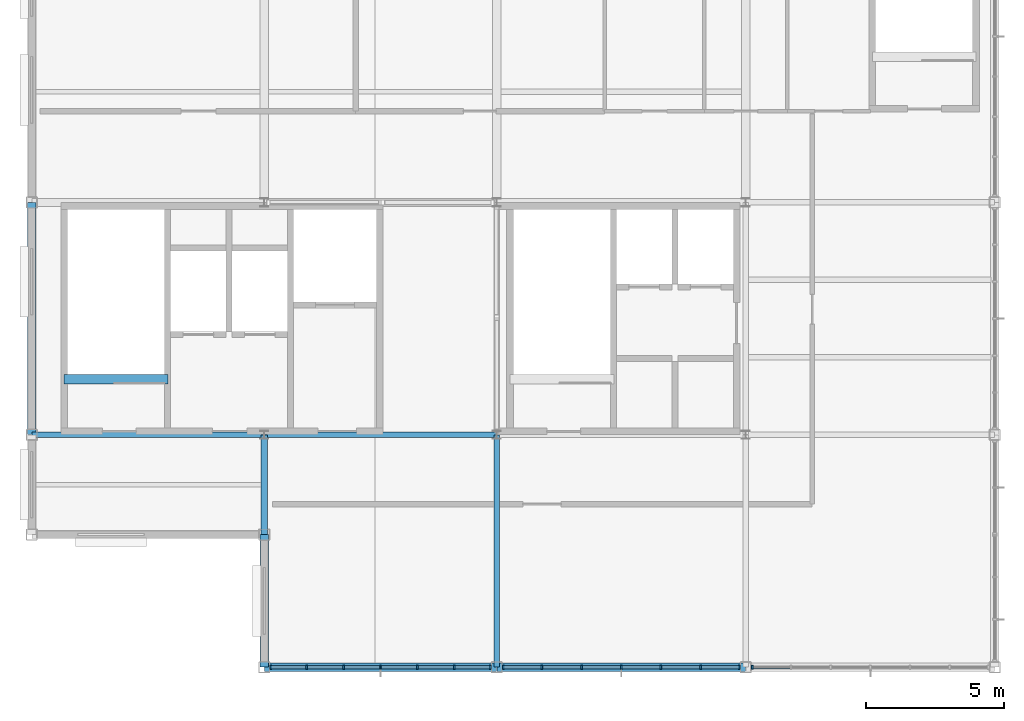
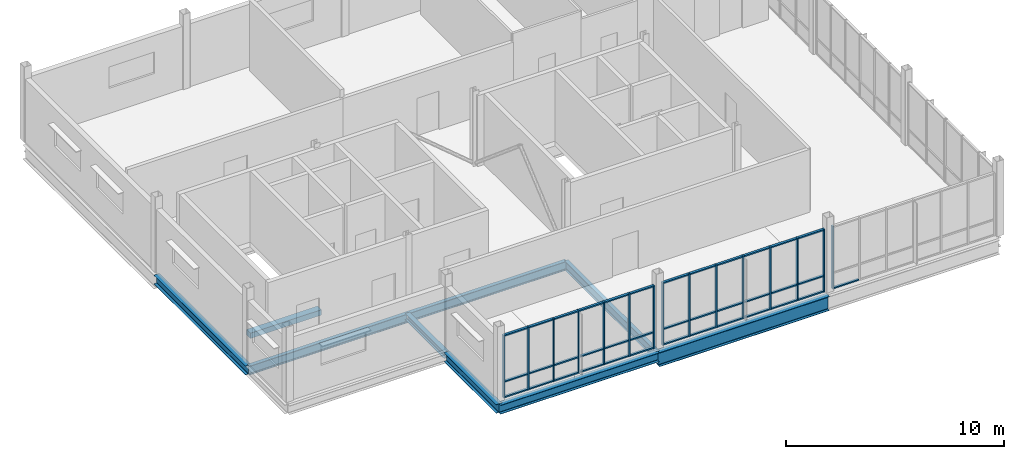
# One storey, part 4 of 15: 52 members, 9 beams, 3 elements without a shape of their own.
"""IFC4 building model written with IfcOpenShell, lengths in metres."""

from ifc_helpers import new_model, si_unit, direction, frame, origin, origin_2d, place, context, subcontext, project, spatial, rectangle, i_section, extrude, material, layer, layer_set, material_profile, profile_set, type_object, element, aggregate, save


model = new_model("IFC4")

# Units and contexts
model_context = context("Model", 3, precision=1e-05, world=origin(), true_north=direction((0.0, 1.0)))
body_context = subcontext(model_context, "Body", "Model", "MODEL_VIEW")
ifc_project = project(units=[si_unit("LENGTHUNIT", "METRE"), si_unit("AREAUNIT", "SQUARE_METRE"), si_unit("VOLUMEUNIT", "CUBIC_METRE"), si_unit("PLANEANGLEUNIT", "RADIAN"), si_unit("MASSUNIT", "GRAM", prefix="KILO")], contexts=[model_context])

# Site, building, storey
site_placement = place(None, origin())
site = spatial("IfcSite", under=ifc_project, at=site_placement, CompositionType="ELEMENT")
building_placement = place(site_placement, origin())
building = spatial("IfcBuilding", under=site, at=building_placement, Name="Yukiwa Park Conservatory and Herbarium", CompositionType="ELEMENT")
storey_placement = place(building_placement, frame((0.0, 0.0, 61.199951171875)))
storey = spatial("IfcBuildingStorey", under=building, at=storey_placement, Name="L16", CompositionType="ELEMENT", Elevation=61.199951171875)

# Beams
ifc_material_1 = material(Name="Steel Q355D", Category="steel")
ifc_material_profile_1 = material_profile(ifc_material_1, i_section(OverallWidth=0.25, OverallDepth=0.35009765625, WebThickness=0.009033203125, FlangeThickness=0.013916015625, FilletRadius=0.02001953125, at=origin_2d()), Name="HM 350x250x9x14")
ifc_profile_set_1 = profile_set([ifc_material_profile_1], Name="Steel Q355D")
beam_type_1 = type_object("IfcBeamType", Name="BM-GRD-HM350", PredefinedType="BEAM", material=ifc_profile_set_1)
beam_1_placement = place(storey_placement, frame((141.60009765625, 91.2060546875, -0.445068359375), z_axis=(0.0, 1.0, 0.0), x_axis=(-1.0, 0.0, 0.0)))
element("IfcBeam", 1, at=beam_1_placement, inside=storey, type_object=beam_type_1, Name="L16 grid girder Y-21", PredefinedType="BEAM", context=body_context, shape_type="SweptSolid", body=[
    extrude(i_section(OverallWidth=0.25, OverallDepth=0.35009765625, WebThickness=0.009033203125, FlangeThickness=0.013916015625, FilletRadius=0.02001953125, at=origin_2d()), origin(), (0.0, 0.0, 1.0), 3.587890625),
])
ifc_material_2 = material(Name="Steel Q355D", Category="steel")
ifc_material_profile_2 = material_profile(ifc_material_2, i_section(OverallWidth=0.198974609375, OverallDepth=0.49609375, WebThickness=0.009033203125, FlangeThickness=0.013916015625, FilletRadius=0.02001953125, at=origin_2d()), Name="HN 496x199x9x14")
ifc_profile_set_2 = profile_set([ifc_material_profile_2], Name="Steel Q355D")
beam_type_2 = type_object("IfcBeamType", Name="BM-GRD-HN496", PredefinedType="BEAM", material=ifc_profile_set_2)
for number, where, z_axis, x_axis, name in (
    (2, (133.2060546875, 94.800048828125, -0.51806640625), (1.0, 0.0, 0.0), (0.0, 1.0, 0.0), "L16 grid beam X-5"),
    (3, (141.60595703125, 94.800048828125, -0.51806640625), (1.0, 0.0, 0.0), (0.0, 1.0, 0.0), "L16 grid beam X-6"),
):
    element("IfcBeam", number, at=place(storey_placement, frame(where, z_axis=z_axis, x_axis=x_axis)), inside=storey, type_object=beam_type_2, Name=name, PredefinedType="BEAM", context=body_context, shape_type="SweptSolid", body=[
        extrude(i_section(OverallWidth=0.198974609375, OverallDepth=0.49609375, WebThickness=0.009033203125, FlangeThickness=0.013916015625, FilletRadius=0.02001953125, at=origin_2d()), origin(), (0.0, 0.0, 1.0), 8.387939453125),
    ])
ifc_material_3 = material(Name="Steel Q355D", Category="steel")
ifc_material_profile_3 = material_profile(ifc_material_3, i_section(OverallWidth=0.199951171875, OverallDepth=0.5, WebThickness=0.010009765625, FlangeThickness=0.01611328125, FilletRadius=0.02001953125, at=origin_2d()), Name="HN 500x200x10x16")
ifc_profile_set_3 = profile_set([ifc_material_profile_3], Name="Steel Q355D")
beam_type_3 = type_object("IfcBeamType", Name="BM-GRD-HN500", PredefinedType="BEAM", material=ifc_profile_set_3)
beam_2_placement = place(storey_placement, frame((150.0, 86.406005859375, -0.52001953125), z_axis=(0.0, 1.0, 0.0), x_axis=(-1.0, 0.0, 0.0)))
element("IfcBeam", 4, at=beam_2_placement, inside=storey, type_object=beam_type_3, Name="L16 grid girder Y-23", PredefinedType="BEAM", context=body_context, shape_type="SweptSolid", body=[
    extrude(i_section(OverallWidth=0.199951171875, OverallDepth=0.5, WebThickness=0.010009765625, FlangeThickness=0.01611328125, FilletRadius=0.02001953125, at=origin_2d()), origin(), (0.0, 0.0, 1.0), 8.387939453125),
])
ifc_material_4 = material(Name="Steel Q355D", Category="steel")
ifc_material_profile_4 = material_profile(ifc_material_4, i_section(OverallWidth=0.300048828125, OverallDepth=0.493896484375, WebThickness=0.010986328125, FlangeThickness=0.014892578125, FilletRadius=0.02392578125, at=origin_2d()), Name="HM 494x300x11x15")
ifc_profile_set_4 = profile_set([ifc_material_profile_4], Name="Steel Q355D")
beam_type_4 = type_object("IfcBeamType", Name="BM-SPN-HN450", PredefinedType="SPANDREL", material=ifc_profile_set_4)
beam_3_placement = place(storey_placement, frame((141.60009765625, 86.406005859375, -0.516845703125), z_axis=(0.0, 1.0, 0.0), x_axis=(-1.0, 0.0, 0.0)))
element("IfcBeam", 5, at=beam_3_placement, inside=storey, type_object=beam_type_4, Name="L16 spandrel girder Y-20", PredefinedType="SPANDREL", context=body_context, shape_type="SweptSolid", body=[
    extrude(i_section(OverallWidth=0.300048828125, OverallDepth=0.493896484375, WebThickness=0.010986328125, FlangeThickness=0.014892578125, FilletRadius=0.02392578125, at=origin_2d()), origin(), (0.0, 0.0, 1.0), 4.7880859375),
])
ifc_material_5 = material(Name="Steel Q355D", Category="steel")
ifc_material_profile_5 = material_profile(ifc_material_5, i_section(OverallWidth=0.300048828125, OverallDepth=0.5, WebThickness=0.010986328125, FlangeThickness=0.01806640625, FilletRadius=0.02392578125, at=origin_2d()), Name="HM 500x300x11x18")
ifc_profile_set_5 = profile_set([ifc_material_profile_5], Name="Steel Q355D")
beam_type_5 = type_object("IfcBeamType", Name="BM-SPN-HN500", PredefinedType="SPANDREL", material=ifc_profile_set_5)
beam_4_placement = place(storey_placement, frame((141.60595703125, 86.39990234375, -0.52001953125), z_axis=(1.0, 0.0, 0.0), x_axis=(0.0, 1.0, 0.0)))
element("IfcBeam", 6, at=beam_4_placement, inside=storey, type_object=beam_type_5, Name="L16 spandrel beam X-1", PredefinedType="SPANDREL", context=body_context, shape_type="SweptSolid", body=[
    extrude(i_section(OverallWidth=0.300048828125, OverallDepth=0.5, WebThickness=0.010986328125, FlangeThickness=0.01806640625, FilletRadius=0.02392578125, at=origin_2d()), origin(), (0.0, 0.0, 1.0), 8.387939453125),
])
beam_5_placement = place(storey_placement, frame((133.199951171875, 94.805908203125, -0.52001953125), z_axis=(0.0, 1.0, 0.0), x_axis=(-1.0, 0.0, 0.0)))
element("IfcBeam", 7, at=beam_5_placement, inside=storey, type_object=beam_type_5, Name="L16 spandrel girder Y-18", PredefinedType="SPANDREL", context=body_context, shape_type="SweptSolid", body=[
    extrude(i_section(OverallWidth=0.300048828125, OverallDepth=0.5, WebThickness=0.010986328125, FlangeThickness=0.01806640625, FilletRadius=0.02392578125, at=origin_2d()), origin(), (0.0, 0.0, 1.0), 8.38818359375),
])
ifc_material_6 = material(Name="Steel Q355D", Category="steel")
ifc_material_profile_6 = material_profile(ifc_material_6, i_section(OverallWidth=0.300048828125, OverallDepth=0.7919921875, WebThickness=0.013916015625, FlangeThickness=0.02197265625, FilletRadius=0.028076171875, at=origin_2d()), Name="HN 792x300x14x22")
ifc_profile_set_6 = profile_set([ifc_material_profile_6], Name="Steel Q355D")
beam_type_6 = type_object("IfcBeamType", Name="BM-SPN-HN600", PredefinedType="SPANDREL", material=ifc_profile_set_6)
beam_6_placement = place(storey_placement, frame((150.006103515625, 86.39990234375, -0.666015625), z_axis=(1.0, 0.0, 0.0), x_axis=(0.0, 1.0, 0.0)))
element("IfcBeam", 8, at=beam_6_placement, inside=storey, type_object=beam_type_6, Name="L16 spandrel beam X-2", PredefinedType="SPANDREL", context=body_context, shape_type="SweptSolid", body=[
    extrude(i_section(OverallWidth=0.300048828125, OverallDepth=0.7919921875, WebThickness=0.013916015625, FlangeThickness=0.02197265625, FilletRadius=0.028076171875, at=origin_2d()), origin(), (0.0, 0.0, 1.0), 8.98779296875),
])
ifc_material_7 = material(Name="Concrete C40", Category="concrete")
ifc_material_profile_7 = material_profile(ifc_material_7, rectangle(XDim=0.35009765625, YDim=0.300048828125, at=origin_2d()), Name="RC 350x300")
ifc_profile_set_7 = profile_set([ifc_material_profile_7], Name="Concrete C40")
beam_type_7 = type_object("IfcBeamType", Name="BM-STAIR-TRIM", PredefinedType="BEAM", material=ifc_profile_set_7)
beam_7_placement = place(storey_placement, frame((134.3701171875, 96.81005859375, -0.14990234375), z_axis=(1.0, 0.0, 0.0), x_axis=(0.0, 1.0, 0.0)))
element("IfcBeam", 9, at=beam_7_placement, inside=storey, type_object=beam_type_7, Name="Stair ST-T1 L16 landing trimmer beam", PredefinedType="BEAM", context=body_context, shape_type="SweptSolid", body=[
    extrude(rectangle(XDim=0.35009765625, YDim=0.300048828125, at=origin_2d()), origin(), (0.0, 0.0, 1.0), 3.75),
])

# Curtain wall, members
ifc_material_8 = material(Name="Triple Low-E Insulated Glass", Category="glass")
ifc_layer = layer(ifc_material_8, 0.2119140625)
ifc_layer_set = layer_set([ifc_layer], Name="Triple Low-E Insulated Glass")
curtain_wall_type = type_object("IfcCurtainWallType", Name="CW-TOWER-SKY-1400", PredefinedType="NOTDEFINED", material=ifc_layer_set)
curtain_wall_1_placement = place(storey_placement, origin())
curtain_wall_1 = element("IfcCurtainWall", 10, at=curtain_wall_1_placement, inside=storey, type_object=curtain_wall_type, Name="L16 unitised curtain wall CW-L16-152", PredefinedType="NOTDEFINED")
ifc_material_9 = material(Name="Anodised Aluminium", Category="aluminium")
member_type_1 = type_object("IfcMemberType", Name="MB-CW-MUL-70X150", PredefinedType="MULLION", material=ifc_material_9)
member_1_placement = place(storey_placement, frame((141.8349609375, 86.39990234375, 0.0), z_axis=(0.0, 0.0, 1.0), x_axis=(1.0, 0.0, 0.0)))
member_1 = element("IfcMember", 11, at=member_1_placement, type_object=member_type_1, Name="CW-L16-152 mullion 1", PredefinedType="MULLION", context=body_context, shape_type="SweptSolid", body=[
    extrude(rectangle(XDim=0.070068359375, YDim=0.14990234375, at=origin_2d()), origin(), (0.0, 0.0, 1.0), 3.510009765625),
])
member_2_placement = place(storey_placement, frame((143.13330078125, 86.39990234375, 0.0), z_axis=(0.0, 0.0, 1.0), x_axis=(1.0, 0.0, 0.0)))
member_2 = element("IfcMember", 12, at=member_2_placement, type_object=member_type_1, Name="CW-L16-152 mullion 2", PredefinedType="MULLION", context=body_context, shape_type="SweptSolid", body=[
    extrude(rectangle(XDim=0.070068359375, YDim=0.14990234375, at=origin_2d()), origin(), (0.0, 0.0, 1.0), 3.510009765625),
])
member_3_placement = place(storey_placement, frame((144.466796875, 86.39990234375, 0.0), z_axis=(0.0, 0.0, 1.0), x_axis=(1.0, 0.0, 0.0)))
member_3 = element("IfcMember", 13, at=member_3_placement, type_object=member_type_1, Name="CW-L16-152 mullion 3", PredefinedType="MULLION", context=body_context, shape_type="SweptSolid", body=[
    extrude(rectangle(XDim=0.070068359375, YDim=0.14990234375, at=origin_2d()), origin(), (0.0, 0.0, 1.0), 3.510009765625),
])
member_4_placement = place(storey_placement, frame((145.800048828125, 86.39990234375, 0.0), z_axis=(0.0, 0.0, 1.0), x_axis=(1.0, 0.0, 0.0)))
member_4 = element("IfcMember", 14, at=member_4_placement, type_object=member_type_1, Name="CW-L16-152 mullion 4", PredefinedType="MULLION", context=body_context, shape_type="SweptSolid", body=[
    extrude(rectangle(XDim=0.070068359375, YDim=0.14990234375, at=origin_2d()), origin(), (0.0, 0.0, 1.0), 3.510009765625),
])
member_5_placement = place(storey_placement, frame((147.13330078125, 86.39990234375, 0.0), z_axis=(0.0, 0.0, 1.0), x_axis=(1.0, 0.0, 0.0)))
member_5 = element("IfcMember", 15, at=member_5_placement, type_object=member_type_1, Name="CW-L16-152 mullion 5", PredefinedType="MULLION", context=body_context, shape_type="SweptSolid", body=[
    extrude(rectangle(XDim=0.070068359375, YDim=0.14990234375, at=origin_2d()), origin(), (0.0, 0.0, 1.0), 3.510009765625),
])
member_6_placement = place(storey_placement, frame((148.466796875, 86.39990234375, 0.0), z_axis=(0.0, 0.0, 1.0), x_axis=(1.0, 0.0, 0.0)))
member_6 = element("IfcMember", 16, at=member_6_placement, type_object=member_type_1, Name="CW-L16-152 mullion 6", PredefinedType="MULLION", context=body_context, shape_type="SweptSolid", body=[
    extrude(rectangle(XDim=0.070068359375, YDim=0.14990234375, at=origin_2d()), origin(), (0.0, 0.0, 1.0), 3.510009765625),
])
member_7_placement = place(storey_placement, frame((149.764892578125, 86.39990234375, 0.0), z_axis=(0.0, 0.0, 1.0), x_axis=(1.0, 0.0, 0.0)))
member_7 = element("IfcMember", 17, at=member_7_placement, type_object=member_type_1, Name="CW-L16-152 mullion 7", PredefinedType="MULLION", context=body_context, shape_type="SweptSolid", body=[
    extrude(rectangle(XDim=0.070068359375, YDim=0.14990234375, at=origin_2d()), origin(), (0.0, 0.0, 1.0), 3.510009765625),
])

curtain_wall_2_placement = place(storey_placement, origin())
curtain_wall_2 = element("IfcCurtainWall", 18, at=curtain_wall_2_placement, inside=storey, type_object=curtain_wall_type, Name="L16 unitised curtain wall CW-L16-153", PredefinedType="NOTDEFINED")
member_8_placement = place(storey_placement, frame((150.235107421875, 86.39990234375, 0.0), z_axis=(0.0, 0.0, 1.0), x_axis=(1.0, 0.0, 0.0)))
member_8 = element("IfcMember", 19, at=member_8_placement, type_object=member_type_1, Name="CW-L16-153 mullion 1", PredefinedType="MULLION", context=body_context, shape_type="SweptSolid", body=[
    extrude(rectangle(XDim=0.070068359375, YDim=0.14990234375, at=origin_2d()), origin(), (0.0, 0.0, 1.0), 3.510009765625),
])
member_9_placement = place(storey_placement, frame((151.63330078125, 86.39990234375, 0.0), z_axis=(0.0, 0.0, 1.0), x_axis=(1.0, 0.0, 0.0)))
member_9 = element("IfcMember", 20, at=member_9_placement, type_object=member_type_1, Name="CW-L16-153 mullion 2", PredefinedType="MULLION", context=body_context, shape_type="SweptSolid", body=[
    extrude(rectangle(XDim=0.070068359375, YDim=0.14990234375, at=origin_2d()), origin(), (0.0, 0.0, 1.0), 3.510009765625),
])
member_10_placement = place(storey_placement, frame((153.066650390625, 86.39990234375, 0.0), z_axis=(0.0, 0.0, 1.0), x_axis=(1.0, 0.0, 0.0)))
member_10 = element("IfcMember", 21, at=member_10_placement, type_object=member_type_1, Name="CW-L16-153 mullion 3", PredefinedType="MULLION", context=body_context, shape_type="SweptSolid", body=[
    extrude(rectangle(XDim=0.070068359375, YDim=0.14990234375, at=origin_2d()), origin(), (0.0, 0.0, 1.0), 3.510009765625),
])
member_11_placement = place(storey_placement, frame((154.5, 86.39990234375, 0.0), z_axis=(0.0, 0.0, 1.0), x_axis=(1.0, 0.0, 0.0)))
member_11 = element("IfcMember", 22, at=member_11_placement, type_object=member_type_1, Name="CW-L16-153 mullion 4", PredefinedType="MULLION", context=body_context, shape_type="SweptSolid", body=[
    extrude(rectangle(XDim=0.070068359375, YDim=0.14990234375, at=origin_2d()), origin(), (0.0, 0.0, 1.0), 3.510009765625),
])
member_12_placement = place(storey_placement, frame((155.933349609375, 86.39990234375, 0.0), z_axis=(0.0, 0.0, 1.0), x_axis=(1.0, 0.0, 0.0)))
member_12 = element("IfcMember", 23, at=member_12_placement, type_object=member_type_1, Name="CW-L16-153 mullion 5", PredefinedType="MULLION", context=body_context, shape_type="SweptSolid", body=[
    extrude(rectangle(XDim=0.070068359375, YDim=0.14990234375, at=origin_2d()), origin(), (0.0, 0.0, 1.0), 3.510009765625),
])
member_13_placement = place(storey_placement, frame((157.36669921875, 86.39990234375, 0.0), z_axis=(0.0, 0.0, 1.0), x_axis=(1.0, 0.0, 0.0)))
member_13 = element("IfcMember", 24, at=member_13_placement, type_object=member_type_1, Name="CW-L16-153 mullion 6", PredefinedType="MULLION", context=body_context, shape_type="SweptSolid", body=[
    extrude(rectangle(XDim=0.070068359375, YDim=0.14990234375, at=origin_2d()), origin(), (0.0, 0.0, 1.0), 3.510009765625),
])
member_14_placement = place(storey_placement, frame((158.764892578125, 86.39990234375, 0.0), z_axis=(0.0, 0.0, 1.0), x_axis=(1.0, 0.0, 0.0)))
member_14 = element("IfcMember", 25, at=member_14_placement, type_object=member_type_1, Name="CW-L16-153 mullion 7", PredefinedType="MULLION", context=body_context, shape_type="SweptSolid", body=[
    extrude(rectangle(XDim=0.070068359375, YDim=0.14990234375, at=origin_2d()), origin(), (0.0, 0.0, 1.0), 3.510009765625),
])

# Curtain wall, member
curtain_wall_3_placement = place(storey_placement, origin())
curtain_wall_3 = element("IfcCurtainWall", 26, at=curtain_wall_3_placement, inside=storey, type_object=curtain_wall_type, Name="L16 unitised curtain wall CW-L16-154", PredefinedType="NOTDEFINED")
member_15_placement = place(storey_placement, frame((159.235107421875, 86.39990234375, 0.0), z_axis=(0.0, 0.0, 1.0), x_axis=(1.0, 0.0, 0.0)))
member_15 = element("IfcMember", 27, at=member_15_placement, type_object=member_type_1, Name="CW-L16-154 mullion 1", PredefinedType="MULLION", context=body_context, shape_type="SweptSolid", body=[
    extrude(rectangle(XDim=0.070068359375, YDim=0.14990234375, at=origin_2d()), origin(), (0.0, 0.0, 1.0), 3.510009765625),
])

# Member
ifc_material_10 = material(Name="Anodised Aluminium", Category="aluminium")
member_type_2 = type_object("IfcMemberType", Name="MB-CW-TRN-70X130", PredefinedType="USERDEFINED", material=ifc_material_10)
member_16_placement = place(storey_placement, frame((142.466796875, 86.39990234375, 0.0), z_axis=(0.0, 0.0, 1.0), x_axis=(1.0, 0.0, 0.0)))
member_16 = element("IfcMember", 28, at=member_16_placement, type_object=member_type_2, Name="CW-L16-152 transom 1.1", ObjectType="TRANSOM", PredefinedType="USERDEFINED", context=body_context, shape_type="SweptSolid", body=[
    extrude(rectangle(XDim=1.26318359375, YDim=0.1298828125, at=origin_2d()), origin(), (0.0, 0.0, 1.0), 0.070068359375),
])

member_17_placement = place(storey_placement, frame((142.466796875, 86.39990234375, 0.865234375), z_axis=(0.0, 0.0, 1.0), x_axis=(1.0, 0.0, 0.0)))
member_17 = element("IfcMember", 29, at=member_17_placement, type_object=member_type_2, Name="CW-L16-152 transom 1.2", ObjectType="TRANSOM", PredefinedType="USERDEFINED", context=body_context, shape_type="SweptSolid", body=[
    extrude(rectangle(XDim=1.26318359375, YDim=0.1298828125, at=origin_2d()), origin(), (0.0, 0.0, 1.0), 0.070068359375),
])

member_18_placement = place(storey_placement, frame((142.466796875, 86.39990234375, 3.43994140625), z_axis=(0.0, 0.0, 1.0), x_axis=(1.0, 0.0, 0.0)))
member_18 = element("IfcMember", 30, at=member_18_placement, type_object=member_type_2, Name="CW-L16-152 transom 1.3", ObjectType="TRANSOM", PredefinedType="USERDEFINED", context=body_context, shape_type="SweptSolid", body=[
    extrude(rectangle(XDim=1.26318359375, YDim=0.1298828125, at=origin_2d()), origin(), (0.0, 0.0, 1.0), 0.070068359375),
])

member_19_placement = place(storey_placement, frame((143.800048828125, 86.39990234375, 0.0), z_axis=(0.0, 0.0, 1.0), x_axis=(1.0, 0.0, 0.0)))
member_19 = element("IfcMember", 31, at=member_19_placement, type_object=member_type_2, Name="CW-L16-152 transom 2.1", ObjectType="TRANSOM", PredefinedType="USERDEFINED", context=body_context, shape_type="SweptSolid", body=[
    extrude(rectangle(XDim=1.26318359375, YDim=0.1298828125, at=origin_2d()), origin(), (0.0, 0.0, 1.0), 0.070068359375),
])

member_20_placement = place(storey_placement, frame((143.800048828125, 86.39990234375, 0.865234375), z_axis=(0.0, 0.0, 1.0), x_axis=(1.0, 0.0, 0.0)))
member_20 = element("IfcMember", 32, at=member_20_placement, type_object=member_type_2, Name="CW-L16-152 transom 2.2", ObjectType="TRANSOM", PredefinedType="USERDEFINED", context=body_context, shape_type="SweptSolid", body=[
    extrude(rectangle(XDim=1.26318359375, YDim=0.1298828125, at=origin_2d()), origin(), (0.0, 0.0, 1.0), 0.070068359375),
])

member_21_placement = place(storey_placement, frame((143.800048828125, 86.39990234375, 3.43994140625), z_axis=(0.0, 0.0, 1.0), x_axis=(1.0, 0.0, 0.0)))
member_21 = element("IfcMember", 33, at=member_21_placement, type_object=member_type_2, Name="CW-L16-152 transom 2.3", ObjectType="TRANSOM", PredefinedType="USERDEFINED", context=body_context, shape_type="SweptSolid", body=[
    extrude(rectangle(XDim=1.26318359375, YDim=0.1298828125, at=origin_2d()), origin(), (0.0, 0.0, 1.0), 0.070068359375),
])

member_22_placement = place(storey_placement, frame((145.13330078125, 86.39990234375, 0.0), z_axis=(0.0, 0.0, 1.0), x_axis=(1.0, 0.0, 0.0)))
member_22 = element("IfcMember", 34, at=member_22_placement, type_object=member_type_2, Name="CW-L16-152 transom 3.1", ObjectType="TRANSOM", PredefinedType="USERDEFINED", context=body_context, shape_type="SweptSolid", body=[
    extrude(rectangle(XDim=1.26318359375, YDim=0.1298828125, at=origin_2d()), origin(), (0.0, 0.0, 1.0), 0.070068359375),
])

member_23_placement = place(storey_placement, frame((145.13330078125, 86.39990234375, 0.865234375), z_axis=(0.0, 0.0, 1.0), x_axis=(1.0, 0.0, 0.0)))
member_23 = element("IfcMember", 35, at=member_23_placement, type_object=member_type_2, Name="CW-L16-152 transom 3.2", ObjectType="TRANSOM", PredefinedType="USERDEFINED", context=body_context, shape_type="SweptSolid", body=[
    extrude(rectangle(XDim=1.26318359375, YDim=0.1298828125, at=origin_2d()), origin(), (0.0, 0.0, 1.0), 0.070068359375),
])

member_24_placement = place(storey_placement, frame((145.13330078125, 86.39990234375, 3.43994140625), z_axis=(0.0, 0.0, 1.0), x_axis=(1.0, 0.0, 0.0)))
member_24 = element("IfcMember", 36, at=member_24_placement, type_object=member_type_2, Name="CW-L16-152 transom 3.3", ObjectType="TRANSOM", PredefinedType="USERDEFINED", context=body_context, shape_type="SweptSolid", body=[
    extrude(rectangle(XDim=1.26318359375, YDim=0.1298828125, at=origin_2d()), origin(), (0.0, 0.0, 1.0), 0.070068359375),
])

member_25_placement = place(storey_placement, frame((146.466796875, 86.39990234375, 0.0), z_axis=(0.0, 0.0, 1.0), x_axis=(1.0, 0.0, 0.0)))
member_25 = element("IfcMember", 37, at=member_25_placement, type_object=member_type_2, Name="CW-L16-152 transom 4.1", ObjectType="TRANSOM", PredefinedType="USERDEFINED", context=body_context, shape_type="SweptSolid", body=[
    extrude(rectangle(XDim=1.26318359375, YDim=0.1298828125, at=origin_2d()), origin(), (0.0, 0.0, 1.0), 0.070068359375),
])

member_26_placement = place(storey_placement, frame((146.466796875, 86.39990234375, 0.865234375), z_axis=(0.0, 0.0, 1.0), x_axis=(1.0, 0.0, 0.0)))
member_26 = element("IfcMember", 38, at=member_26_placement, type_object=member_type_2, Name="CW-L16-152 transom 4.2", ObjectType="TRANSOM", PredefinedType="USERDEFINED", context=body_context, shape_type="SweptSolid", body=[
    extrude(rectangle(XDim=1.26318359375, YDim=0.1298828125, at=origin_2d()), origin(), (0.0, 0.0, 1.0), 0.070068359375),
])

member_27_placement = place(storey_placement, frame((146.466796875, 86.39990234375, 3.43994140625), z_axis=(0.0, 0.0, 1.0), x_axis=(1.0, 0.0, 0.0)))
member_27 = element("IfcMember", 39, at=member_27_placement, type_object=member_type_2, Name="CW-L16-152 transom 4.3", ObjectType="TRANSOM", PredefinedType="USERDEFINED", context=body_context, shape_type="SweptSolid", body=[
    extrude(rectangle(XDim=1.26318359375, YDim=0.1298828125, at=origin_2d()), origin(), (0.0, 0.0, 1.0), 0.070068359375),
])

member_28_placement = place(storey_placement, frame((147.800048828125, 86.39990234375, 0.0), z_axis=(0.0, 0.0, 1.0), x_axis=(1.0, 0.0, 0.0)))
member_28 = element("IfcMember", 40, at=member_28_placement, type_object=member_type_2, Name="CW-L16-152 transom 5.1", ObjectType="TRANSOM", PredefinedType="USERDEFINED", context=body_context, shape_type="SweptSolid", body=[
    extrude(rectangle(XDim=1.26318359375, YDim=0.1298828125, at=origin_2d()), origin(), (0.0, 0.0, 1.0), 0.070068359375),
])

member_29_placement = place(storey_placement, frame((147.800048828125, 86.39990234375, 0.865234375), z_axis=(0.0, 0.0, 1.0), x_axis=(1.0, 0.0, 0.0)))
member_29 = element("IfcMember", 41, at=member_29_placement, type_object=member_type_2, Name="CW-L16-152 transom 5.2", ObjectType="TRANSOM", PredefinedType="USERDEFINED", context=body_context, shape_type="SweptSolid", body=[
    extrude(rectangle(XDim=1.26318359375, YDim=0.1298828125, at=origin_2d()), origin(), (0.0, 0.0, 1.0), 0.070068359375),
])

member_30_placement = place(storey_placement, frame((147.800048828125, 86.39990234375, 3.43994140625), z_axis=(0.0, 0.0, 1.0), x_axis=(1.0, 0.0, 0.0)))
member_30 = element("IfcMember", 42, at=member_30_placement, type_object=member_type_2, Name="CW-L16-152 transom 5.3", ObjectType="TRANSOM", PredefinedType="USERDEFINED", context=body_context, shape_type="SweptSolid", body=[
    extrude(rectangle(XDim=1.26318359375, YDim=0.1298828125, at=origin_2d()), origin(), (0.0, 0.0, 1.0), 0.070068359375),
])

member_31_placement = place(storey_placement, frame((149.13330078125, 86.39990234375, 0.0), z_axis=(0.0, 0.0, 1.0), x_axis=(1.0, 0.0, 0.0)))
member_31 = element("IfcMember", 43, at=member_31_placement, type_object=member_type_2, Name="CW-L16-152 transom 6.1", ObjectType="TRANSOM", PredefinedType="USERDEFINED", context=body_context, shape_type="SweptSolid", body=[
    extrude(rectangle(XDim=1.26318359375, YDim=0.1298828125, at=origin_2d()), origin(), (0.0, 0.0, 1.0), 0.070068359375),
])

member_32_placement = place(storey_placement, frame((149.13330078125, 86.39990234375, 0.865234375), z_axis=(0.0, 0.0, 1.0), x_axis=(1.0, 0.0, 0.0)))
member_32 = element("IfcMember", 44, at=member_32_placement, type_object=member_type_2, Name="CW-L16-152 transom 6.2", ObjectType="TRANSOM", PredefinedType="USERDEFINED", context=body_context, shape_type="SweptSolid", body=[
    extrude(rectangle(XDim=1.26318359375, YDim=0.1298828125, at=origin_2d()), origin(), (0.0, 0.0, 1.0), 0.070068359375),
])

member_33_placement = place(storey_placement, frame((149.13330078125, 86.39990234375, 3.43994140625), z_axis=(0.0, 0.0, 1.0), x_axis=(1.0, 0.0, 0.0)))
member_33 = element("IfcMember", 45, at=member_33_placement, type_object=member_type_2, Name="CW-L16-152 transom 6.3", ObjectType="TRANSOM", PredefinedType="USERDEFINED", context=body_context, shape_type="SweptSolid", body=[
    extrude(rectangle(XDim=1.26318359375, YDim=0.1298828125, at=origin_2d()), origin(), (0.0, 0.0, 1.0), 0.070068359375),
])

aggregate(curtain_wall_1, [member_1, member_2, member_3, member_4, member_5, member_6, member_7, member_16, member_17, member_18, member_19, member_20, member_21, member_22, member_23, member_24, member_25, member_26, member_27, member_28, member_29, member_30, member_31, member_32, member_33])

member_34_placement = place(storey_placement, frame((150.916748046875, 86.39990234375, 0.0), z_axis=(0.0, 0.0, 1.0), x_axis=(1.0, 0.0, 0.0)))
member_34 = element("IfcMember", 46, at=member_34_placement, type_object=member_type_2, Name="CW-L16-153 transom 1.1", ObjectType="TRANSOM", PredefinedType="USERDEFINED", context=body_context, shape_type="SweptSolid", body=[
    extrude(rectangle(XDim=1.36328125, YDim=0.1298828125, at=origin_2d()), origin(), (0.0, 0.0, 1.0), 0.070068359375),
])

member_35_placement = place(storey_placement, frame((150.916748046875, 86.39990234375, 0.865234375), z_axis=(0.0, 0.0, 1.0), x_axis=(1.0, 0.0, 0.0)))
member_35 = element("IfcMember", 47, at=member_35_placement, type_object=member_type_2, Name="CW-L16-153 transom 1.2", ObjectType="TRANSOM", PredefinedType="USERDEFINED", context=body_context, shape_type="SweptSolid", body=[
    extrude(rectangle(XDim=1.36328125, YDim=0.1298828125, at=origin_2d()), origin(), (0.0, 0.0, 1.0), 0.070068359375),
])

member_36_placement = place(storey_placement, frame((150.916748046875, 86.39990234375, 3.43994140625), z_axis=(0.0, 0.0, 1.0), x_axis=(1.0, 0.0, 0.0)))
member_36 = element("IfcMember", 48, at=member_36_placement, type_object=member_type_2, Name="CW-L16-153 transom 1.3", ObjectType="TRANSOM", PredefinedType="USERDEFINED", context=body_context, shape_type="SweptSolid", body=[
    extrude(rectangle(XDim=1.36328125, YDim=0.1298828125, at=origin_2d()), origin(), (0.0, 0.0, 1.0), 0.070068359375),
])

member_37_placement = place(storey_placement, frame((152.35009765625, 86.39990234375, 0.0), z_axis=(0.0, 0.0, 1.0), x_axis=(1.0, 0.0, 0.0)))
member_37 = element("IfcMember", 49, at=member_37_placement, type_object=member_type_2, Name="CW-L16-153 transom 2.1", ObjectType="TRANSOM", PredefinedType="USERDEFINED", context=body_context, shape_type="SweptSolid", body=[
    extrude(rectangle(XDim=1.36328125, YDim=0.1298828125, at=origin_2d()), origin(), (0.0, 0.0, 1.0), 0.070068359375),
])

member_38_placement = place(storey_placement, frame((152.35009765625, 86.39990234375, 0.865234375), z_axis=(0.0, 0.0, 1.0), x_axis=(1.0, 0.0, 0.0)))
member_38 = element("IfcMember", 50, at=member_38_placement, type_object=member_type_2, Name="CW-L16-153 transom 2.2", ObjectType="TRANSOM", PredefinedType="USERDEFINED", context=body_context, shape_type="SweptSolid", body=[
    extrude(rectangle(XDim=1.36328125, YDim=0.1298828125, at=origin_2d()), origin(), (0.0, 0.0, 1.0), 0.070068359375),
])

member_39_placement = place(storey_placement, frame((152.35009765625, 86.39990234375, 3.43994140625), z_axis=(0.0, 0.0, 1.0), x_axis=(1.0, 0.0, 0.0)))
member_39 = element("IfcMember", 51, at=member_39_placement, type_object=member_type_2, Name="CW-L16-153 transom 2.3", ObjectType="TRANSOM", PredefinedType="USERDEFINED", context=body_context, shape_type="SweptSolid", body=[
    extrude(rectangle(XDim=1.36328125, YDim=0.1298828125, at=origin_2d()), origin(), (0.0, 0.0, 1.0), 0.070068359375),
])

member_40_placement = place(storey_placement, frame((153.783203125, 86.39990234375, 0.0), z_axis=(0.0, 0.0, 1.0), x_axis=(1.0, 0.0, 0.0)))
member_40 = element("IfcMember", 52, at=member_40_placement, type_object=member_type_2, Name="CW-L16-153 transom 3.1", ObjectType="TRANSOM", PredefinedType="USERDEFINED", context=body_context, shape_type="SweptSolid", body=[
    extrude(rectangle(XDim=1.36328125, YDim=0.1298828125, at=origin_2d()), origin(), (0.0, 0.0, 1.0), 0.070068359375),
])

member_41_placement = place(storey_placement, frame((153.783203125, 86.39990234375, 0.865234375), z_axis=(0.0, 0.0, 1.0), x_axis=(1.0, 0.0, 0.0)))
member_41 = element("IfcMember", 53, at=member_41_placement, type_object=member_type_2, Name="CW-L16-153 transom 3.2", ObjectType="TRANSOM", PredefinedType="USERDEFINED", context=body_context, shape_type="SweptSolid", body=[
    extrude(rectangle(XDim=1.36328125, YDim=0.1298828125, at=origin_2d()), origin(), (0.0, 0.0, 1.0), 0.070068359375),
])

member_42_placement = place(storey_placement, frame((153.783203125, 86.39990234375, 3.43994140625), z_axis=(0.0, 0.0, 1.0), x_axis=(1.0, 0.0, 0.0)))
member_42 = element("IfcMember", 54, at=member_42_placement, type_object=member_type_2, Name="CW-L16-153 transom 3.3", ObjectType="TRANSOM", PredefinedType="USERDEFINED", context=body_context, shape_type="SweptSolid", body=[
    extrude(rectangle(XDim=1.36328125, YDim=0.1298828125, at=origin_2d()), origin(), (0.0, 0.0, 1.0), 0.070068359375),
])

member_43_placement = place(storey_placement, frame((155.216796875, 86.39990234375, 0.0), z_axis=(0.0, 0.0, 1.0), x_axis=(1.0, 0.0, 0.0)))
member_43 = element("IfcMember", 55, at=member_43_placement, type_object=member_type_2, Name="CW-L16-153 transom 4.1", ObjectType="TRANSOM", PredefinedType="USERDEFINED", context=body_context, shape_type="SweptSolid", body=[
    extrude(rectangle(XDim=1.36328125, YDim=0.1298828125, at=origin_2d()), origin(), (0.0, 0.0, 1.0), 0.070068359375),
])

member_44_placement = place(storey_placement, frame((155.216796875, 86.39990234375, 0.865234375), z_axis=(0.0, 0.0, 1.0), x_axis=(1.0, 0.0, 0.0)))
member_44 = element("IfcMember", 56, at=member_44_placement, type_object=member_type_2, Name="CW-L16-153 transom 4.2", ObjectType="TRANSOM", PredefinedType="USERDEFINED", context=body_context, shape_type="SweptSolid", body=[
    extrude(rectangle(XDim=1.36328125, YDim=0.1298828125, at=origin_2d()), origin(), (0.0, 0.0, 1.0), 0.070068359375),
])

member_45_placement = place(storey_placement, frame((155.216796875, 86.39990234375, 3.43994140625), z_axis=(0.0, 0.0, 1.0), x_axis=(1.0, 0.0, 0.0)))
member_45 = element("IfcMember", 57, at=member_45_placement, type_object=member_type_2, Name="CW-L16-153 transom 4.3", ObjectType="TRANSOM", PredefinedType="USERDEFINED", context=body_context, shape_type="SweptSolid", body=[
    extrude(rectangle(XDim=1.36328125, YDim=0.1298828125, at=origin_2d()), origin(), (0.0, 0.0, 1.0), 0.070068359375),
])

member_46_placement = place(storey_placement, frame((156.64990234375, 86.39990234375, 0.0), z_axis=(0.0, 0.0, 1.0), x_axis=(1.0, 0.0, 0.0)))
member_46 = element("IfcMember", 58, at=member_46_placement, type_object=member_type_2, Name="CW-L16-153 transom 5.1", ObjectType="TRANSOM", PredefinedType="USERDEFINED", context=body_context, shape_type="SweptSolid", body=[
    extrude(rectangle(XDim=1.36328125, YDim=0.1298828125, at=origin_2d()), origin(), (0.0, 0.0, 1.0), 0.070068359375),
])

member_47_placement = place(storey_placement, frame((156.64990234375, 86.39990234375, 0.865234375), z_axis=(0.0, 0.0, 1.0), x_axis=(1.0, 0.0, 0.0)))
member_47 = element("IfcMember", 59, at=member_47_placement, type_object=member_type_2, Name="CW-L16-153 transom 5.2", ObjectType="TRANSOM", PredefinedType="USERDEFINED", context=body_context, shape_type="SweptSolid", body=[
    extrude(rectangle(XDim=1.36328125, YDim=0.1298828125, at=origin_2d()), origin(), (0.0, 0.0, 1.0), 0.070068359375),
])

member_48_placement = place(storey_placement, frame((156.64990234375, 86.39990234375, 3.43994140625), z_axis=(0.0, 0.0, 1.0), x_axis=(1.0, 0.0, 0.0)))
member_48 = element("IfcMember", 60, at=member_48_placement, type_object=member_type_2, Name="CW-L16-153 transom 5.3", ObjectType="TRANSOM", PredefinedType="USERDEFINED", context=body_context, shape_type="SweptSolid", body=[
    extrude(rectangle(XDim=1.36328125, YDim=0.1298828125, at=origin_2d()), origin(), (0.0, 0.0, 1.0), 0.070068359375),
])

member_49_placement = place(storey_placement, frame((158.083251953125, 86.39990234375, 0.0), z_axis=(0.0, 0.0, 1.0), x_axis=(1.0, 0.0, 0.0)))
member_49 = element("IfcMember", 61, at=member_49_placement, type_object=member_type_2, Name="CW-L16-153 transom 6.1", ObjectType="TRANSOM", PredefinedType="USERDEFINED", context=body_context, shape_type="SweptSolid", body=[
    extrude(rectangle(XDim=1.36328125, YDim=0.1298828125, at=origin_2d()), origin(), (0.0, 0.0, 1.0), 0.070068359375),
])

member_50_placement = place(storey_placement, frame((158.083251953125, 86.39990234375, 0.865234375), z_axis=(0.0, 0.0, 1.0), x_axis=(1.0, 0.0, 0.0)))
member_50 = element("IfcMember", 62, at=member_50_placement, type_object=member_type_2, Name="CW-L16-153 transom 6.2", ObjectType="TRANSOM", PredefinedType="USERDEFINED", context=body_context, shape_type="SweptSolid", body=[
    extrude(rectangle(XDim=1.36328125, YDim=0.1298828125, at=origin_2d()), origin(), (0.0, 0.0, 1.0), 0.070068359375),
])

member_51_placement = place(storey_placement, frame((158.083251953125, 86.39990234375, 3.43994140625), z_axis=(0.0, 0.0, 1.0), x_axis=(1.0, 0.0, 0.0)))
member_51 = element("IfcMember", 63, at=member_51_placement, type_object=member_type_2, Name="CW-L16-153 transom 6.3", ObjectType="TRANSOM", PredefinedType="USERDEFINED", context=body_context, shape_type="SweptSolid", body=[
    extrude(rectangle(XDim=1.36328125, YDim=0.1298828125, at=origin_2d()), origin(), (0.0, 0.0, 1.0), 0.070068359375),
])

aggregate(curtain_wall_2, [member_8, member_9, member_10, member_11, member_12, member_13, member_14, member_34, member_35, member_36, member_37, member_38, member_39, member_40, member_41, member_42, member_43, member_44, member_45, member_46, member_47, member_48, member_49, member_50, member_51])

member_52_placement = place(storey_placement, frame((159.916748046875, 86.39990234375, 0.0), z_axis=(0.0, 0.0, 1.0), x_axis=(1.0, 0.0, 0.0)))
member_52 = element("IfcMember", 64, at=member_52_placement, type_object=member_type_2, Name="CW-L16-154 transom 1.1", ObjectType="TRANSOM", PredefinedType="USERDEFINED", context=body_context, shape_type="SweptSolid", body=[
    extrude(rectangle(XDim=1.36328125, YDim=0.1298828125, at=origin_2d()), origin(), (0.0, 0.0, 1.0), 0.070068359375),
])

aggregate(curtain_wall_3, [member_15, member_52])

save(model, "model.ifc")
